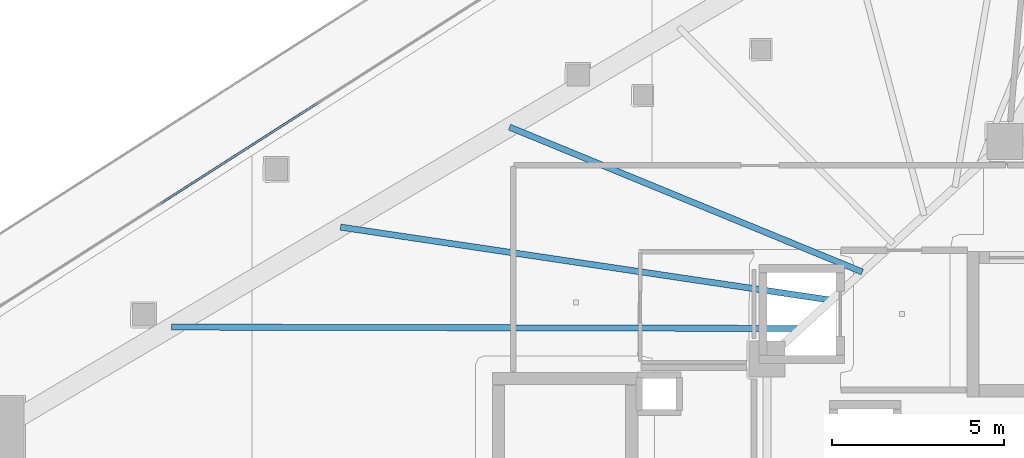
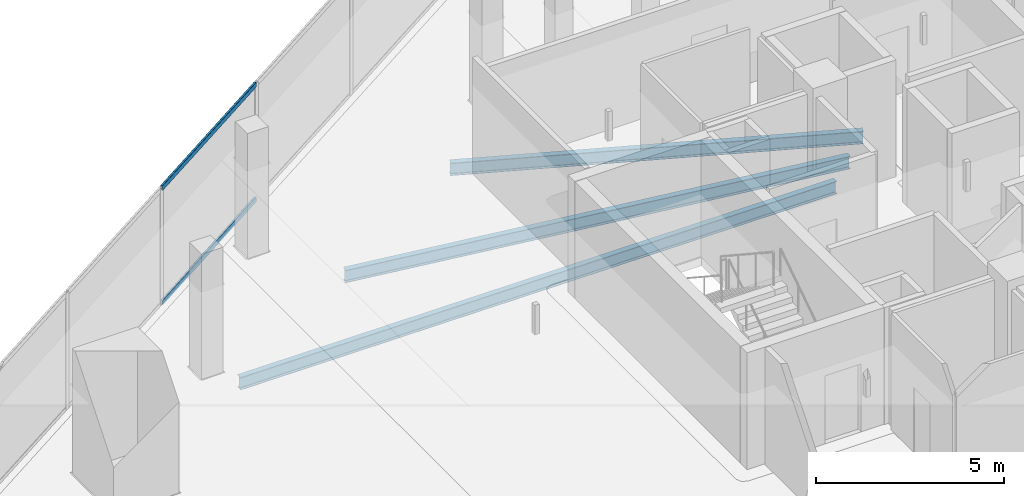
# One storey, part 14 of 38: 3 beams, 2 members, 1 element without a shape of its own.
"""IFC4 building model written with IfcOpenShell, lengths in metres."""

from ifc_helpers import new_model, si_unit, direction, frame, origin, origin_2d, place, context, subcontext, project, spatial, hollow_rectangle, i_section, extrude, material, layer, layer_set, material_profile, profile_set, type_object, element, aggregate, save


model = new_model("IFC4")

# Units and contexts
model_context = context("Model", 3, precision=1e-05, world=origin(), true_north=direction((0.0, 1.0)))
body_context = subcontext(model_context, "Body", "Model", "MODEL_VIEW")
ifc_project = project(units=[si_unit("LENGTHUNIT", "METRE"), si_unit("AREAUNIT", "SQUARE_METRE"), si_unit("VOLUMEUNIT", "CUBIC_METRE"), si_unit("PLANEANGLEUNIT", "RADIAN"), si_unit("MASSUNIT", "GRAM", prefix="KILO")], contexts=[model_context])

# Site, building, storey
site_placement = place(None, origin())
site = spatial("IfcSite", under=ifc_project, at=site_placement, CompositionType="ELEMENT")
building_placement = place(site_placement, origin())
building = spatial("IfcBuilding", under=site, at=building_placement, Name="Qorvath Tower", CompositionType="ELEMENT")
storey_placement = place(building_placement, frame((0.0, 0.0, 134.10009765625)))
storey = spatial("IfcBuildingStorey", under=building, at=storey_placement, Name="L30", CompositionType="ELEMENT", Elevation=134.10009765625)

# Beams
ifc_material_1 = material(Name="Steel ASTM A992 Grade 50", Category="steel")
ifc_material_profile_1 = material_profile(ifc_material_1, i_section(OverallWidth=0.177978515625, OverallDepth=0.406005859375, WebThickness=0.0078125, FlangeThickness=0.0126953125, FilletRadius=0.010986328125, at=origin_2d()), Name="W16x40")
ifc_profile_set_1 = profile_set([ifc_material_profile_1], Name="Steel ASTM A992 Grade 50")
beam_type = type_object("IfcBeamType", Name="BM-FJ3", PredefinedType="JOIST", material=ifc_profile_set_1)
beam_1_placement = place(storey_placement, frame((-29.533935546875, 6.031982421875, -0.472900390625), z_axis=(-0.999997589883, 0.002195501951, 0.0), x_axis=(-0.002195501951, -0.999997589883, 0.0)))
element("IfcBeam", 1, at=beam_1_placement, inside=storey, type_object=beam_type, Name="Composite Floor Joist NW1 L30", PredefinedType="JOIST", context=body_context, shape_type="SweptSolid", body=[
    extrude(i_section(OverallWidth=0.177978515625, OverallDepth=0.406005859375, WebThickness=0.0078125, FlangeThickness=0.0126953125, FilletRadius=0.010986328125, at=origin_2d()), origin(), (0.0, 0.0, 1.0), 18.23681640625),
])
beam_2_placement = place(storey_placement, frame((-28.636962890625, 6.85107421875, -0.472900390625), z_axis=(-0.989092860328, 0.147293291256, 0.0), x_axis=(-0.147293291256, -0.989092860328, 0.0)))
element("IfcBeam", 2, at=beam_2_placement, inside=storey, type_object=beam_type, Name="Composite Floor Joist NW2 L30", PredefinedType="JOIST", context=body_context, shape_type="SweptSolid", body=[
    extrude(i_section(OverallWidth=0.177978515625, OverallDepth=0.406005859375, WebThickness=0.0078125, FlangeThickness=0.0126953125, FilletRadius=0.010986328125, at=origin_2d()), origin(), (0.0, 0.0, 1.0), 14.388916015625),
])
beam_3_placement = place(storey_placement, frame((-27.739990234375, 7.669921875, -0.472900390625), z_axis=(-0.925068176006, 0.379801092338, 0.0), x_axis=(-0.379801092338, -0.925068176006, 0.0)))
element("IfcBeam", 3, at=beam_3_placement, inside=storey, type_object=beam_type, Name="Composite Floor Joist NW3 L30", PredefinedType="JOIST", context=body_context, shape_type="SweptSolid", body=[
    extrude(i_section(OverallWidth=0.177978515625, OverallDepth=0.406005859375, WebThickness=0.0078125, FlangeThickness=0.0126953125, FilletRadius=0.010986328125, at=origin_2d()), origin(), (0.0, 0.0, 1.0), 11.0556640625),
])

# Curtain wall, members
ifc_material_2 = material(Name="Anodised aluminium and triple low-E glass", Category="aluminium")
ifc_layer = layer(ifc_material_2, 0.179931640625)
ifc_layer_set = layer_set([ifc_layer], Name="CW-SYS-3")
curtain_wall_type = type_object("IfcCurtainWallType", Name="CW-SYS-3", PredefinedType="NOTDEFINED", material=ifc_layer_set)
curtain_wall_placement = place(storey_placement, origin())
curtain_wall = element("IfcCurtainWall", 4, at=curtain_wall_placement, inside=storey, type_object=curtain_wall_type, Name="Curtain Wall CW-3 CW-T-L30-16.1", PredefinedType="NOTDEFINED")
ifc_material_3 = material(Name="Anodised aluminium 6063-T6", Category="aluminium")
ifc_material_profile_2 = material_profile(ifc_material_3, hollow_rectangle(XDim=0.06494140625, YDim=0.159912109375, WallThickness=0.00341796875, InnerFilletRadius=0.00341796875, OuterFilletRadius=0.007080078125, at=origin_2d()), Name="CWT 160x65")
ifc_profile_set_2 = profile_set([ifc_material_profile_2], Name="Anodised aluminium 6063-T6")
member_type = type_object("IfcMemberType", Name="CWT-160", PredefinedType="USERDEFINED", material=ifc_profile_set_2)
member_1_placement = place(storey_placement, frame((-43.528564453125, 12.56884765625, 0.032470703125), z_axis=(-0.842602030071, -0.538536738691, 0.0), x_axis=(0.538536738691, -0.842602030071, 0.0)))
member_1 = element("IfcMember", 5, at=member_1_placement, type_object=member_type, Name="CW-3 transom 7.1", ObjectType="TRANSOM", PredefinedType="USERDEFINED", context=body_context, shape_type="SweptSolid", body=[
    extrude(hollow_rectangle(XDim=0.06494140625, YDim=0.159912109375, WallThickness=0.00341796875, InnerFilletRadius=0.00341796875, OuterFilletRadius=0.007080078125, at=origin_2d()), origin(), (0.0, 0.0, 1.0), 5.388427734375),
])
member_2_placement = place(storey_placement, frame((-43.528564453125, 12.56884765625, 3.747314453125), z_axis=(-0.842602030071, -0.538536738691, 0.0), x_axis=(0.538536738691, -0.842602030071, 0.0)))
member_2 = element("IfcMember", 6, at=member_2_placement, type_object=member_type, Name="CW-3 transom 7.2", ObjectType="TRANSOM", PredefinedType="USERDEFINED", context=body_context, shape_type="SweptSolid", body=[
    extrude(hollow_rectangle(XDim=0.06494140625, YDim=0.159912109375, WallThickness=0.00341796875, InnerFilletRadius=0.00341796875, OuterFilletRadius=0.007080078125, at=origin_2d()), origin(), (0.0, 0.0, 1.0), 5.388427734375),
])
aggregate(curtain_wall, [member_1, member_2])

save(model, "model.ifc")
